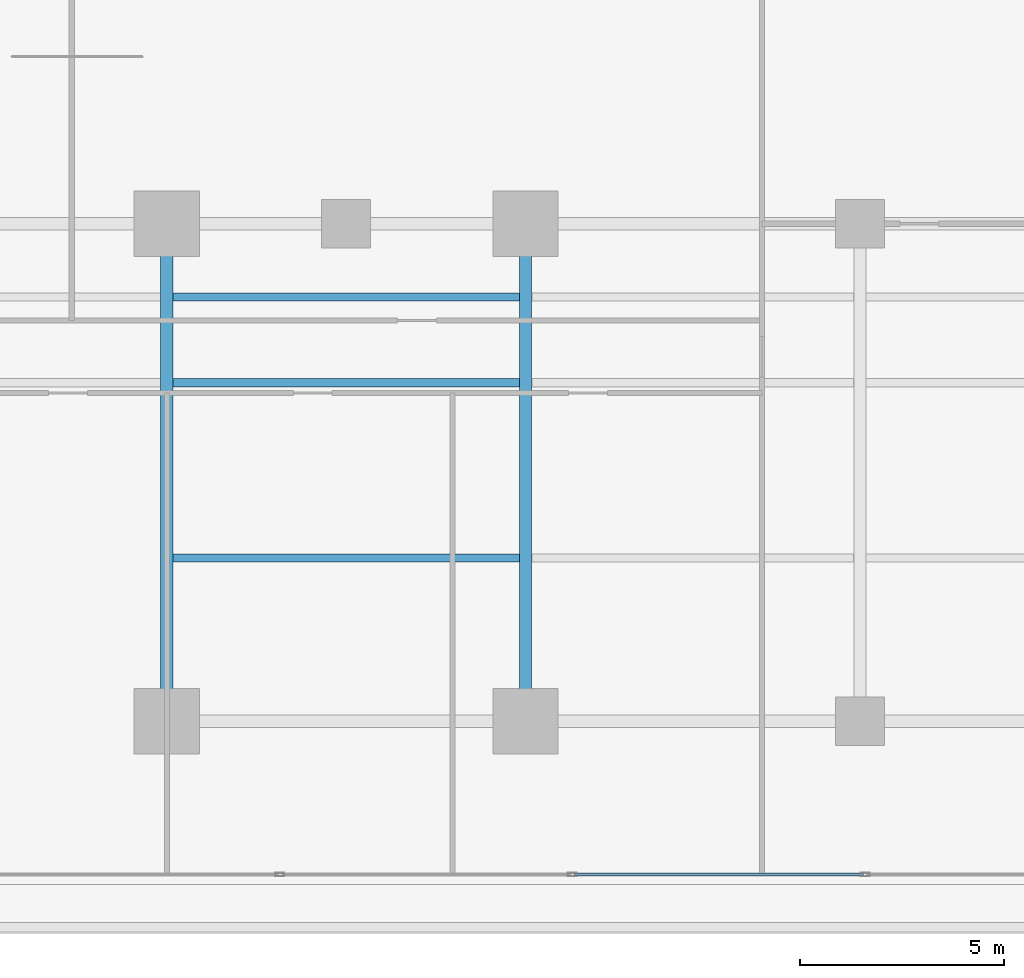
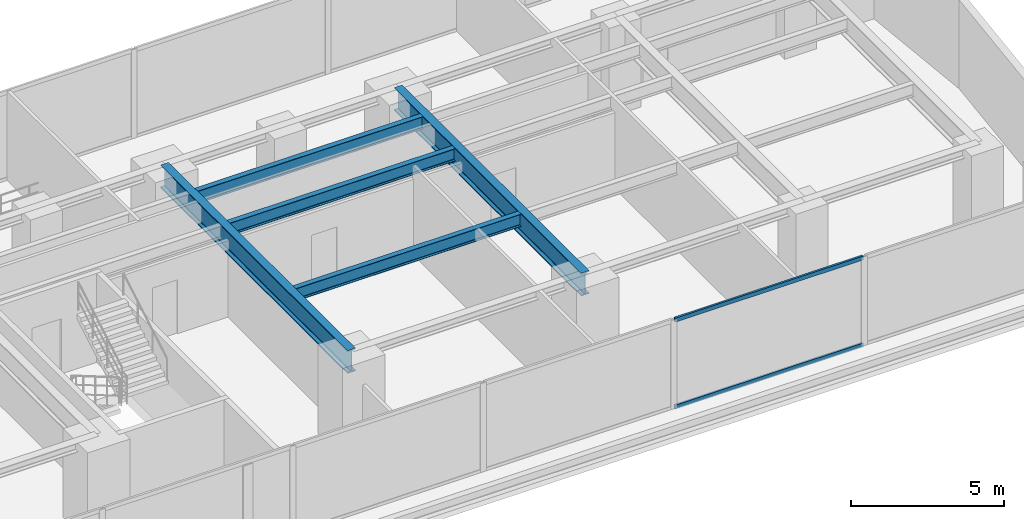
# One storey, part 10 of 29: 5 beams, 2 members, 1 element without a shape of its own.
"""IFC4 building model written with IfcOpenShell, lengths in metres."""

from ifc_helpers import new_model, si_unit, direction, frame, origin, origin_with_axes, origin_2d, place, context, subcontext, project, spatial, hollow_rectangle, i_section, extrude, source, transform, mapped, material, layer, layer_set, material_profile, profile_set, type_object, element, aggregate, save


model = new_model("IFC4")

# Units and contexts
model_context = context("Model", 3, precision=1e-05, world=origin(), true_north=direction((0.0, 1.0)))
body_context = subcontext(model_context, "Body", "Model", "MODEL_VIEW")
ifc_project = project(units=[si_unit("LENGTHUNIT", "METRE"), si_unit("AREAUNIT", "SQUARE_METRE"), si_unit("VOLUMEUNIT", "CUBIC_METRE"), si_unit("PLANEANGLEUNIT", "RADIAN"), si_unit("MASSUNIT", "GRAM", prefix="KILO")], contexts=[model_context])

# Site, building, storey
site_placement = place(None, origin())
site = spatial("IfcSite", under=ifc_project, at=site_placement, CompositionType="ELEMENT")
building_placement = place(site_placement, origin())
building = spatial("IfcBuilding", under=site, at=building_placement, Name="Kolvaren Waterfront Exchange", CompositionType="ELEMENT")
storey_placement = place(building_placement, frame((0.0, 0.0, 29.60009765625)))
storey = spatial("IfcBuildingStorey", under=building, at=storey_placement, Name="L07", CompositionType="ELEMENT", Elevation=29.60009765625)

# Beams
ifc_material_1 = material(Name="Steel S355", Category="steel")
ifc_material_profile_1 = material_profile(ifc_material_1, i_section(OverallWidth=0.199951171875, OverallDepth=0.5, WebThickness=0.01025390625, FlangeThickness=0.01611328125, FilletRadius=0.02099609375, at=origin_2d()), Name="IPE500")
ifc_profile_set_1 = profile_set([ifc_material_profile_1], Name="Steel S355")
beam_type_1 = type_object("IfcBeamType", Name="STR-BM-IPE500", PredefinedType="JOIST", material=ifc_profile_set_1)
for number, where, z_axis, x_axis, name in (
    (1, (36.952880859375, 13.5, 3.289794921875), (1.0, 0.0, 0.0), (0.0, 1.0, 0.0), "L07 east-arm composite joist 3A"),
    (2, (36.952880859375, 15.60009765625, 3.289794921875), (1.0, 0.0, 0.0), (0.0, 1.0, 0.0), "L07 east-arm composite joist 3C"),
    (3, (36.952880859375, 9.199951171875, 3.289794921875), (1.0, 0.0, 0.0), (0.0, 1.0, 0.0), "L07 east-arm composite joist 3B"),
):
    element("IfcBeam", number, at=place(storey_placement, frame(where, z_axis=z_axis, x_axis=x_axis)), inside=storey, type_object=beam_type_1, Name=name, PredefinedType="JOIST", context=body_context, shape_type="SweptSolid", body=[
        extrude(i_section(OverallWidth=0.199951171875, OverallDepth=0.5, WebThickness=0.01025390625, FlangeThickness=0.01611328125, FilletRadius=0.02099609375, at=origin_2d()), origin(), (0.0, 0.0, 1.0), 8.494140625),
    ])
ifc_material_2 = material(Name="Steel S460", Category="steel")
ifc_material_profile_2 = material_profile(ifc_material_2, i_section(OverallWidth=0.302001953125, OverallDepth=0.909912109375, WebThickness=0.02099609375, FlangeThickness=0.0400390625, FilletRadius=0.030029296875, at=origin_2d()), Name="HEM900")
ifc_profile_set_2 = profile_set([ifc_material_profile_2], Name="Steel S460")
beam_type_2 = type_object("IfcBeamType", Name="STR-TRG-HEM900", PredefinedType="BEAM", material=ifc_profile_set_2)
for number, where, z_axis, x_axis, name in (
    (4, (36.800048828125, 5.199951171875, 3.0849609375), (0.0, 1.0, 0.0), (-1.0, 0.0, 0.0), "L07 east-arm transverse girder X36"),
    (5, (45.60009765625, 5.199951171875, 3.0849609375), (0.0, 1.0, 0.0), (-1.0, 0.0, 0.0), "L07 east-arm transverse girder X45"),
):
    element("IfcBeam", number, at=place(storey_placement, frame(where, z_axis=z_axis, x_axis=x_axis)), inside=storey, type_object=beam_type_2, Name=name, PredefinedType="BEAM", context=body_context, shape_type="SweptSolid", body=[
        extrude(i_section(OverallWidth=0.302001953125, OverallDepth=0.909912109375, WebThickness=0.02099609375, FlangeThickness=0.0400390625, FilletRadius=0.030029296875, at=origin_2d()), origin(), (0.0, 0.0, 1.0), 12.199951171875),
    ])

# Curtain wall, members
ifc_material_3 = material(Name="Anodised bronze aluminium 6063-T6", Category="aluminium")
ifc_layer = layer(ifc_material_3, 0.219970703125, Name="Anodised bronze aluminium 6063-T6")
ifc_layer_set = layer_set([ifc_layer], Name="Anodised bronze aluminium 6063-T6")
curtain_wall_type = type_object("IfcCurtainWallType", Name="ARC-CW-SYS1", PredefinedType="USERDEFINED", material=ifc_layer_set)
curtain_wall_placement = place(storey_placement, origin())
curtain_wall = element("IfcCurtainWall", 6, at=curtain_wall_placement, inside=storey, type_object=curtain_wall_type, Name="L07 stick curtain wall CW1 (CW-L07-S)", ObjectType="STICK CURTAIN WALL", PredefinedType="USERDEFINED")
ifc_material_4 = material(Name="Anodised aluminium 6063-T6", Category="aluminium")
ifc_material_profile_3 = material_profile(ifc_material_4, hollow_rectangle(XDim=0.074951171875, YDim=0.159912109375, WallThickness=0.00439453125, at=origin_2d()), Name="ALU-TRN-160x75x4.5")
ifc_profile_set_3 = profile_set([ifc_material_profile_3], Name="Anodised aluminium 6063-T6")
member_type = type_object("IfcMemberType", Name="ARC-CWT-160", PredefinedType="USERDEFINED", material=ifc_profile_set_3)
shared_shape = source(origin_with_axes(), body_context, "Body", "SweptSolid", [
    extrude(hollow_rectangle(XDim=0.074951171875, YDim=0.159912109375, WallThickness=0.00439453125, at=origin_2d()), origin(), (0.0, 0.0, 1.0), 7.094970703125),
])
member_1_placement = place(storey_placement, frame((46.7900390625, 1.43994140625, 0.037353515625), z_axis=(1.0, 0.0, 0.0), x_axis=(0.0, 1.0, 0.0)))
member_1 = element("IfcMember", 7, at=member_1_placement, type_object=member_type, Name="CW1 transom 7.1", ObjectType="TRANSOM", PredefinedType="USERDEFINED", context=body_context, shape_type="MappedRepresentation", body=[
    mapped(shared_shape, transform((0.0, 0.0, 0.0), x_axis=(1.0, 0.0, 0.0), y_axis=(0.0, 1.0, 0.0), z_axis=(0.0, 0.0, 1.0), scale=1.0)),
])
member_2_placement = place(storey_placement, frame((46.7900390625, 1.43994140625, 3.50244140625), z_axis=(1.0, 0.0, 0.0), x_axis=(0.0, 1.0, 0.0)))
member_2 = element("IfcMember", 8, at=member_2_placement, type_object=member_type, Name="CW1 transom 7.2", ObjectType="TRANSOM", PredefinedType="USERDEFINED", context=body_context, shape_type="MappedRepresentation", body=[
    mapped(shared_shape, transform((0.0, 0.0, 0.0), x_axis=(1.0, 0.0, 0.0), y_axis=(0.0, 1.0, 0.0), z_axis=(0.0, 0.0, 1.0), scale=1.0)),
])
aggregate(curtain_wall, [member_1, member_2])

save(model, "model.ifc")
